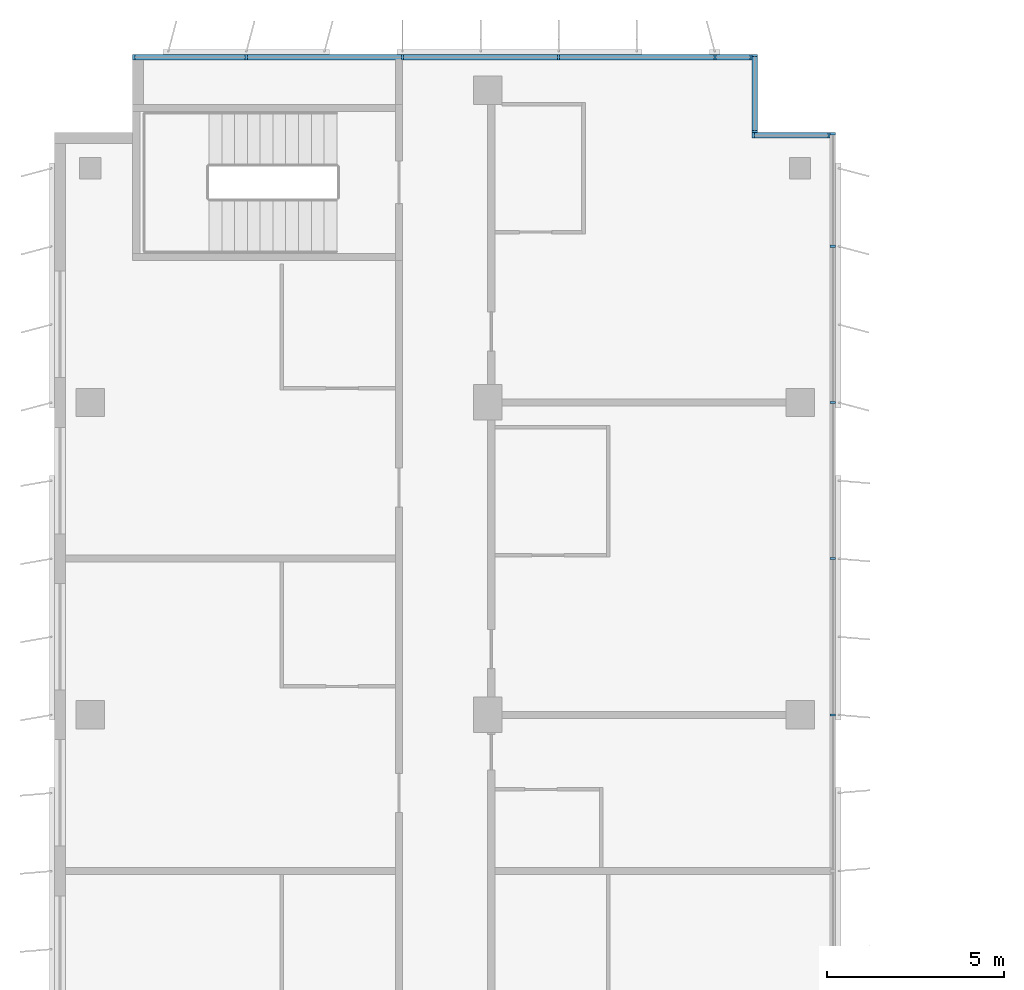
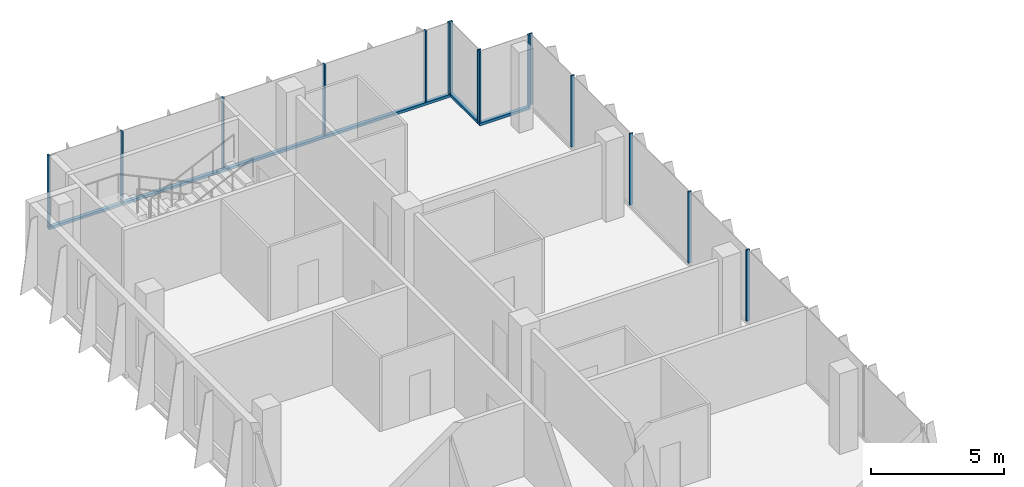
# One storey, part 6 of 15: 18 members, 4 elements without a shape of their own.
"""IFC4 building model written with IfcOpenShell, lengths in metres."""

from ifc_helpers import new_model, si_unit, direction, frame, origin, origin_2d, place, context, subcontext, project, spatial, rectangle, extrude, source, transform, mapped, material, material_profile, profile_set, type_object, element, aggregate, save


model = new_model("IFC4")

# Units and contexts
model_context = context("Model", 3, precision=1e-05, world=origin(), true_north=direction((0.0, 1.0)))
body_context = subcontext(model_context, "Body", "Model", "MODEL_VIEW")
ifc_project = project(units=[si_unit("LENGTHUNIT", "METRE"), si_unit("AREAUNIT", "SQUARE_METRE"), si_unit("VOLUMEUNIT", "CUBIC_METRE"), si_unit("PLANEANGLEUNIT", "RADIAN"), si_unit("MASSUNIT", "GRAM", prefix="KILO")], contexts=[model_context])

# Site, building, storey
site_placement = place(None, origin())
site = spatial("IfcSite", under=ifc_project, at=site_placement, CompositionType="ELEMENT")
building_placement = place(site_placement, origin())
building = spatial("IfcBuilding", under=site, at=building_placement, Name="Kemantara Hotel Tower", CompositionType="ELEMENT")
storey_placement = place(building_placement, frame((0.0, 0.0, 301.800048828125)))
storey = spatial("IfcBuildingStorey", under=building, at=storey_placement, Name="L76", CompositionType="ELEMENT", Elevation=301.800048828125)

# Curtain wall, member
ifc_material_1 = material(Name="Low-E tinted double insulated glass 36 mm", Category="glass")
curtain_wall_type = type_object("IfcCurtainWallType", Name="TOWER CURTAIN WALL, FRONT FACES", PredefinedType="USERDEFINED", material=ifc_material_1)
curtain_wall_1_placement = place(storey_placement, origin())
curtain_wall_1 = element("IfcCurtainWall", 1, at=curtain_wall_1_placement, inside=storey, type_object=curtain_wall_type, Name="CW4 L76 T4-R02-1", ObjectType="TOWER CURTAIN WALL, FRONT FACES", PredefinedType="USERDEFINED")
ifc_material_2 = material(Name="Aluminium 6063-T6 bronze anodised", Category="aluminium")
ifc_material_profile_1 = material_profile(ifc_material_2, rectangle(XDim=0.14990234375, YDim=0.1201171875, at=origin_2d()), Name="TOWER CURTAIN WALL, FRONT FACES TRANSOM")
ifc_profile_set_1 = profile_set([ifc_material_profile_1], Name="Aluminium 6063-T6 bronze anodised")
member_type_1 = type_object("IfcMemberType", Name="TOWER CURTAIN WALL, FRONT FACES TRANSOM", PredefinedType="USERDEFINED", material=ifc_profile_set_1)
member_1_placement = place(storey_placement, frame((19.64990234375, 63.52490234375, 0.06005859375), z_axis=(-1.0, 0.0, 0.0), x_axis=(0.0, -1.0, 0.0)))
member_1 = element("IfcMember", 2, at=member_1_placement, type_object=member_type_1, Name="CW4 sill transom T4-R02-1", ObjectType="TRANSOM", PredefinedType="USERDEFINED", context=body_context, shape_type="SweptSolid", body=[
    extrude(rectangle(XDim=0.14990234375, YDim=0.1201171875, at=origin_2d()), origin(), (0.0, 0.0, 1.0), 17.449951171875),
])

curtain_wall_2_placement = place(storey_placement, origin())
curtain_wall_2 = element("IfcCurtainWall", 3, at=curtain_wall_2_placement, inside=storey, type_object=curtain_wall_type, Name="CW4 L76 T4-R00-1", ObjectType="TOWER CURTAIN WALL, FRONT FACES", PredefinedType="USERDEFINED")
member_2_placement = place(storey_placement, frame((21.85009765625, 61.324951171875, 0.06005859375), z_axis=(-1.0, 0.0, 0.0), x_axis=(0.0, -1.0, 0.0)))
member_2 = element("IfcMember", 4, at=member_2_placement, type_object=member_type_1, Name="CW4 sill transom T4-R00-1", ObjectType="TRANSOM", PredefinedType="USERDEFINED", context=body_context, shape_type="SweptSolid", body=[
    extrude(rectangle(XDim=0.14990234375, YDim=0.1201171875, at=origin_2d()), origin(), (0.0, 0.0, 1.0), 2.2001953125),
])

curtain_wall_3_placement = place(storey_placement, origin())
curtain_wall_3 = element("IfcCurtainWall", 5, at=curtain_wall_3_placement, inside=storey, type_object=curtain_wall_type, Name="CW4 L76 T4-R01-1", ObjectType="TOWER CURTAIN WALL, FRONT FACES", PredefinedType="USERDEFINED")
member_3_placement = place(storey_placement, frame((19.72509765625, 61.39990234375, 0.06005859375), z_axis=(0.0, 1.0, 0.0), x_axis=(-1.0, 0.0, 0.0)))
member_3 = element("IfcMember", 6, at=member_3_placement, type_object=member_type_1, Name="CW4 sill transom T4-R01-1", ObjectType="TRANSOM", PredefinedType="USERDEFINED", context=body_context, shape_type="SweptSolid", body=[
    extrude(rectangle(XDim=0.14990234375, YDim=0.1201171875, at=origin_2d()), origin(), (0.0, 0.0, 1.0), 2.2001953125),
])

# Member
ifc_material_profile_2 = material_profile(ifc_material_2, rectangle(XDim=0.14990234375, YDim=0.06005859375, at=origin_2d()), Name="TOWER CURTAIN WALL, FRONT FACES MULLION")
ifc_profile_set_2 = profile_set([ifc_material_profile_2], Name="Aluminium 6063-T6 bronze anodised")
member_type_2 = type_object("IfcMemberType", Name="TOWER CURTAIN WALL, FRONT FACES MULLION", PredefinedType="MULLION", material=ifc_profile_set_2)
shared_shape = source(origin(), body_context, "Body", "SweptSolid", [
    extrude(rectangle(XDim=0.14990234375, YDim=0.06005859375, at=origin_2d()), origin(), (0.0, 0.0, 1.0), 3.280029296875),
])
member_4_placement = place(storey_placement, frame((19.6201171875, 63.52490234375, 0.119873046875), z_axis=(0.0, 0.0, 1.0), x_axis=(0.0, -1.0, 0.0)))
member_4 = element("IfcMember", 7, at=member_4_placement, type_object=member_type_2, Name="CW4 mullion T4-R02-1.1", PredefinedType="MULLION", context=body_context, shape_type="MappedRepresentation", body=[
    mapped(shared_shape, transform((0.0, 0.0, 0.0))),
])

member_5_placement = place(storey_placement, frame((18.60009765625, 63.52490234375, 0.119873046875), z_axis=(0.0, 0.0, 1.0), x_axis=(0.0, -1.0, 0.0)))
member_5 = element("IfcMember", 8, at=member_5_placement, type_object=member_type_2, Name="CW4 mullion T4-R02-1.2", PredefinedType="MULLION", context=body_context, shape_type="MappedRepresentation", body=[
    mapped(shared_shape, transform((0.0, 0.0, 0.0))),
])

member_6_placement = place(storey_placement, frame((14.199951171875, 63.52490234375, 0.119873046875), z_axis=(0.0, 0.0, 1.0), x_axis=(0.0, -1.0, 0.0)))
member_6 = element("IfcMember", 9, at=member_6_placement, type_object=member_type_2, Name="CW4 mullion T4-R02-1.3", PredefinedType="MULLION", context=body_context, shape_type="MappedRepresentation", body=[
    mapped(shared_shape, transform((0.0, 0.0, 0.0))),
])

member_7_placement = place(storey_placement, frame((9.800048828125, 63.52490234375, 0.119873046875), z_axis=(0.0, 0.0, 1.0), x_axis=(0.0, -1.0, 0.0)))
member_7 = element("IfcMember", 10, at=member_7_placement, type_object=member_type_2, Name="CW4 mullion T4-R02-1.4", PredefinedType="MULLION", context=body_context, shape_type="MappedRepresentation", body=[
    mapped(shared_shape, transform((0.0, 0.0, 0.0))),
])

member_8_placement = place(storey_placement, frame((5.39990234375, 63.52490234375, 0.119873046875), z_axis=(0.0, 0.0, 1.0), x_axis=(0.0, -1.0, 0.0)))
member_8 = element("IfcMember", 11, at=member_8_placement, type_object=member_type_2, Name="CW4 mullion T4-R02-1.5", PredefinedType="MULLION", context=body_context, shape_type="MappedRepresentation", body=[
    mapped(shared_shape, transform((0.0, 0.0, 0.0))),
])

member_9_placement = place(storey_placement, frame((2.22998046875, 63.52490234375, 0.119873046875), z_axis=(0.0, 0.0, 1.0), x_axis=(0.0, -1.0, 0.0)))
member_9 = element("IfcMember", 12, at=member_9_placement, type_object=member_type_2, Name="CW4 mullion T4-R02-1.6", PredefinedType="MULLION", context=body_context, shape_type="MappedRepresentation", body=[
    mapped(shared_shape, transform((0.0, 0.0, 0.0))),
])

aggregate(curtain_wall_1, [member_1, member_4, member_5, member_6, member_7, member_8, member_9])

# Curtain wall, members
curtain_wall_4_placement = place(storey_placement, origin())
curtain_wall_4 = element("IfcCurtainWall", 13, at=curtain_wall_4_placement, inside=storey, type_object=curtain_wall_type, Name="CW4 L76 T4-R15-1", ObjectType="TOWER CURTAIN WALL, FRONT FACES", PredefinedType="USERDEFINED")
member_10_placement = place(storey_placement, frame((21.925048828125, 45.0, 0.119873046875), z_axis=(0.0, 0.0, 1.0), x_axis=(-1.0, 0.0, 0.0)))
member_10 = element("IfcMember", 14, at=member_10_placement, type_object=member_type_2, Name="CW4 mullion T4-R15-1.6", PredefinedType="MULLION", context=body_context, shape_type="MappedRepresentation", body=[
    mapped(shared_shape, transform((0.0, 0.0, 0.0))),
])
member_11_placement = place(storey_placement, frame((21.925048828125, 49.39990234375, 0.119873046875), z_axis=(0.0, 0.0, 1.0), x_axis=(-1.0, 0.0, 0.0)))
member_11 = element("IfcMember", 15, at=member_11_placement, type_object=member_type_2, Name="CW4 mullion T4-R15-1.7", PredefinedType="MULLION", context=body_context, shape_type="MappedRepresentation", body=[
    mapped(shared_shape, transform((0.0, 0.0, 0.0))),
])
member_12_placement = place(storey_placement, frame((21.925048828125, 53.800048828125, 0.119873046875), z_axis=(0.0, 0.0, 1.0), x_axis=(-1.0, 0.0, 0.0)))
member_12 = element("IfcMember", 16, at=member_12_placement, type_object=member_type_2, Name="CW4 mullion T4-R15-1.8", PredefinedType="MULLION", context=body_context, shape_type="MappedRepresentation", body=[
    mapped(shared_shape, transform((0.0, 0.0, 0.0))),
])
member_13_placement = place(storey_placement, frame((21.925048828125, 58.199951171875, 0.119873046875), z_axis=(0.0, 0.0, 1.0), x_axis=(-1.0, 0.0, 0.0)))
member_13 = element("IfcMember", 17, at=member_13_placement, type_object=member_type_2, Name="CW4 mullion T4-R15-1.9", PredefinedType="MULLION", context=body_context, shape_type="MappedRepresentation", body=[
    mapped(shared_shape, transform((0.0, 0.0, 0.0))),
])
member_14_placement = place(storey_placement, frame((21.925048828125, 61.3701171875, 0.119873046875), z_axis=(0.0, 0.0, 1.0), x_axis=(-1.0, 0.0, 0.0)))
member_14 = element("IfcMember", 18, at=member_14_placement, type_object=member_type_2, Name="CW4 mullion T4-R15-1.10", PredefinedType="MULLION", context=body_context, shape_type="MappedRepresentation", body=[
    mapped(shared_shape, transform((0.0, 0.0, 0.0))),
])
aggregate(curtain_wall_4, [member_10, member_11, member_12, member_13, member_14])

# Member
member_15_placement = place(storey_placement, frame((21.820068359375, 61.324951171875, 0.119873046875), z_axis=(0.0, 0.0, 1.0), x_axis=(0.0, -1.0, 0.0)))
member_15 = element("IfcMember", 19, at=member_15_placement, type_object=member_type_2, Name="CW4 mullion T4-R00-1.1", PredefinedType="MULLION", context=body_context, shape_type="MappedRepresentation", body=[
    mapped(shared_shape, transform((0.0, 0.0, 0.0))),
])

member_16_placement = place(storey_placement, frame((19.679931640625, 61.324951171875, 0.119873046875), z_axis=(0.0, 0.0, 1.0), x_axis=(0.0, -1.0, 0.0)))
member_16 = element("IfcMember", 20, at=member_16_placement, type_object=member_type_2, Name="CW4 mullion T4-R00-1.2", PredefinedType="MULLION", context=body_context, shape_type="MappedRepresentation", body=[
    mapped(shared_shape, transform((0.0, 0.0, 0.0))),
])

aggregate(curtain_wall_2, [member_2, member_15, member_16])

member_17_placement = place(storey_placement, frame((19.72509765625, 61.429931640625, 0.119873046875), z_axis=(0.0, 0.0, 1.0), x_axis=(-1.0, 0.0, 0.0)))
member_17 = element("IfcMember", 21, at=member_17_placement, type_object=member_type_2, Name="CW4 mullion T4-R01-1.1", PredefinedType="MULLION", context=body_context, shape_type="MappedRepresentation", body=[
    mapped(shared_shape, transform((0.0, 0.0, 0.0))),
])

member_18_placement = place(storey_placement, frame((19.72509765625, 63.570068359375, 0.119873046875), z_axis=(0.0, 0.0, 1.0), x_axis=(-1.0, 0.0, 0.0)))
member_18 = element("IfcMember", 22, at=member_18_placement, type_object=member_type_2, Name="CW4 mullion T4-R01-1.2", PredefinedType="MULLION", context=body_context, shape_type="MappedRepresentation", body=[
    mapped(shared_shape, transform((0.0, 0.0, 0.0))),
])

aggregate(curtain_wall_3, [member_3, member_17, member_18])

save(model, "model.ifc")
